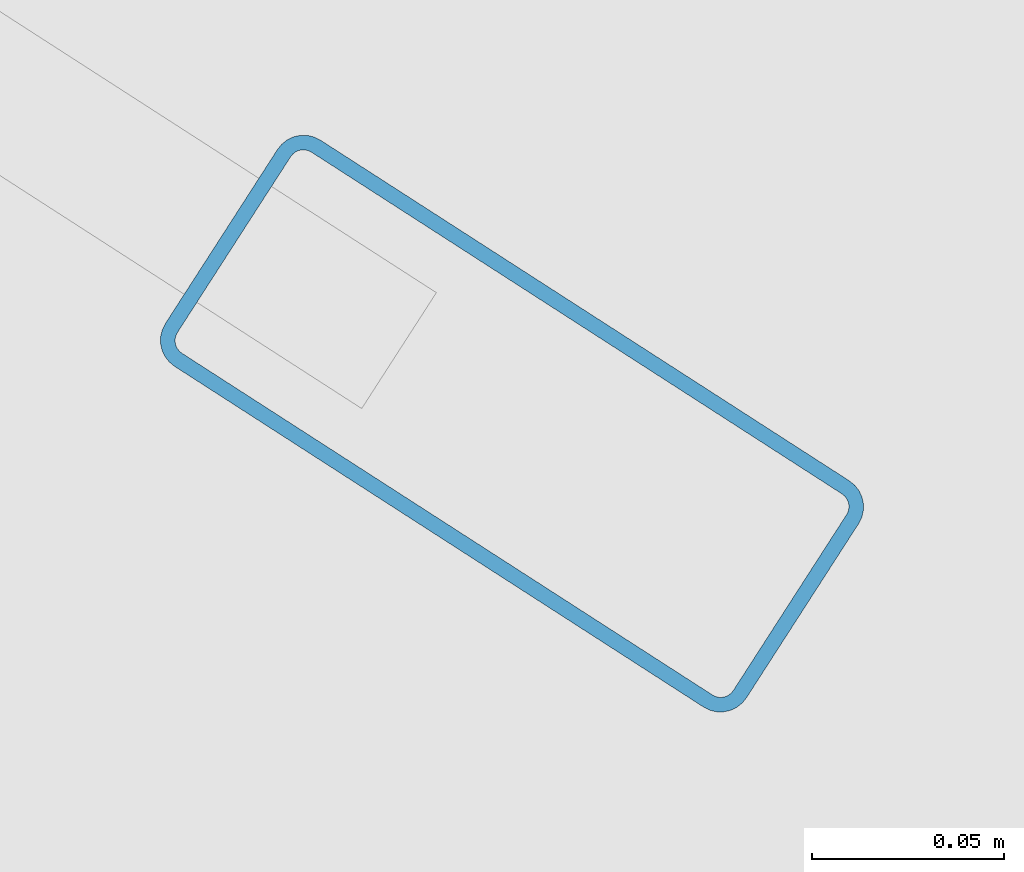
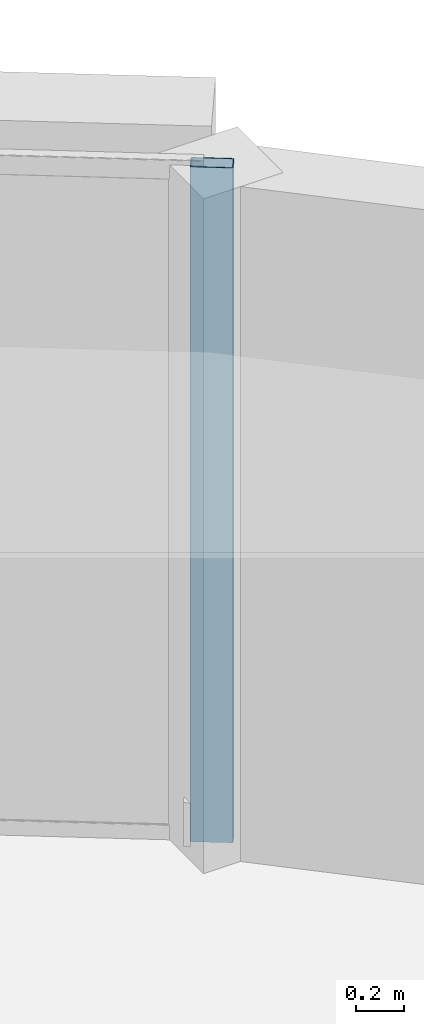
# One storey, part 5 of 15: 1 member, 1 element without a shape of its own.
"""IFC4 building model written with IfcOpenShell, lengths in metres."""

import ifcopenshell
import ifcopenshell.guid

model = None  # the IFC model being written
_history = None  # IfcOwnerHistory: only IFC2X3 demands one
_inside = {}  # id of a spatial element -> (the spatial element, [elements in it])
_under = {}  # id of a project, library or spatial element -> (it, [spatial elements below it])
_declared = {}  # id of a project -> (the project, [libraries it declares])
_typed = {}  # id of a type object -> (the type object, [elements of that type])
_made_of = {}  # id of a material, layer set ... -> (it, [elements and type objects made of it])


def new_model(schema):
    """Start an empty IFC model of exactly this schema.

    Asked for "IFC4X3", IfcOpenShell would pick the latest addendum, in which some entities
    have other attributes; the version numbers below select the first issue.
    IFC2X3 requires an IfcOwnerHistory on every rooted entity: one is made here for all.
    """
    global model, _history
    if schema == "IFC4X3":
        model = ifcopenshell.file(schema_version=(4, 3, 0, 0))
    else:
        model = ifcopenshell.file(schema=schema)
    _inside.clear()
    _under.clear()
    _declared.clear()
    _typed.clear()
    _made_of.clear()
    _history = None
    if model.schema == "IFC2X3":
        org = make("IfcOrganization", Name="unknown")
        user = make(
            "IfcPersonAndOrganization",
            ThePerson=make("IfcPerson", FamilyName="unknown"),
            TheOrganization=org,
        )
        app = make(
            "IfcApplication",
            ApplicationDeveloper=org,
            Version="unknown",
            ApplicationFullName="unknown",
            ApplicationIdentifier="unknown",
        )
        _history = make(
            "IfcOwnerHistory",
            OwningUser=user,
            OwningApplication=app,
            ChangeAction="ADDED",
            CreationDate=0,
        )
    return model


def make(cls, **values):
    """One entity of the class cls with the attributes given. An attribute that is None is left unset."""
    return model.create_entity(
        cls, **{name: value for name, value in values.items() if value is not None}
    )


def rooted(cls, **values):
    """An entity with a GlobalId (a new one), such as an element, a storey or a relation."""
    return make(cls, GlobalId=ifcopenshell.guid.new(), OwnerHistory=_history, **values)


def si_unit(unit_type, name, prefix=None):
    """IfcSIUnit, for example si_unit("LENGTHUNIT", "METRE", prefix="MILLI")."""
    return make("IfcSIUnit", UnitType=unit_type, Prefix=prefix, Name=name)


def assignment(units):
    """IfcUnitAssignment: the units of a project."""
    return None if units is None else make("IfcUnitAssignment", Units=units)


def point(xyz):
    """IfcCartesianPoint."""
    return None if xyz is None else make("IfcCartesianPoint", Coordinates=xyz)


def direction(xyz):
    """IfcDirection."""
    return None if xyz is None else make("IfcDirection", DirectionRatios=xyz)


def frame(location, z_axis=None, x_axis=None):
    """IfcAxis2Placement3D, a coordinate frame: its origin and axes. An axis left out is left unset."""
    return make(
        "IfcAxis2Placement3D",
        Location=point(location),
        Axis=direction(z_axis),
        RefDirection=direction(x_axis),
    )


def frame_2d(location, x_axis=None):
    """IfcAxis2Placement2D, a coordinate frame in the plane: its origin and x axis."""
    return make(
        "IfcAxis2Placement2D", Location=point(location), RefDirection=direction(x_axis)
    )


def origin():
    """The frame at (0, 0, 0) with its axes left unset."""
    return frame((0.0, 0.0, 0.0))


def origin_2d():
    """The frame at (0, 0) in the plane with its x axis left unset."""
    return frame_2d((0.0, 0.0))


def place(relative_to, where):
    """IfcLocalPlacement: puts the frame where relative to a parent placement (None: the world)."""
    return make(
        "IfcLocalPlacement", PlacementRelTo=relative_to, RelativePlacement=where
    )


def context(
    kind, dimensions, precision=None, world=None, true_north=None, identifier=None
):
    """IfcGeometricRepresentationContext, for example the 3D "Model" context."""
    return make(
        "IfcGeometricRepresentationContext",
        ContextIdentifier=identifier,
        ContextType=kind,
        CoordinateSpaceDimension=dimensions,
        Precision=precision,
        WorldCoordinateSystem=world,
        TrueNorth=true_north,
    )


def subcontext(parent, identifier, kind, view, scale=None):
    """IfcGeometricRepresentationSubContext, for example "Body" below "Model"."""
    return make(
        "IfcGeometricRepresentationSubContext",
        ContextIdentifier=identifier,
        ContextType=kind,
        ParentContext=parent,
        TargetScale=scale,
        TargetView=view,
    )


def project(units=None, contexts=None):
    """IfcProject with its units and contexts."""
    return rooted(
        "IfcProject",
        Name="project",
        RepresentationContexts=contexts,
        UnitsInContext=assignment(units),
    )


def spatial(cls, under=None, at=None, **own):
    """A site, building, storey or space (cls), placed at a placement, below another one or the project."""
    s = rooted(cls, ObjectPlacement=at, **own)
    if under is not None:
        _under.setdefault(under.id(), (under, []))[1].append(s)
    return s


def profile(cls, at=None, kind="AREA", **sizes):
    """A parametric profile (cls). Its sizes go by their IFC names, for example OverallWidth=200.0."""
    return make(cls, ProfileType=kind, Position=at, **sizes)


def hollow_rectangle(**sizes):
    """IfcRectangleHollowProfileDef."""
    return profile("IfcRectangleHollowProfileDef", **sizes)


def extrude(swept, where, along, depth):
    """IfcExtrudedAreaSolid: the profile swept, set in the frame where, extruded along a direction by depth."""
    return make(
        "IfcExtrudedAreaSolid",
        SweptArea=swept,
        Position=where,
        ExtrudedDirection=direction(along),
        Depth=depth,
    )


def shape(context_of_items, identifier, shape_type, items):
    """IfcShapeRepresentation: the items that make up one representation, for example the "Body"."""
    return make(
        "IfcShapeRepresentation",
        ContextOfItems=context_of_items,
        RepresentationIdentifier=identifier,
        RepresentationType=shape_type,
        Items=items,
    )


def material(Name=None, Category=None):
    """IfcMaterial."""
    return make("IfcMaterial", Name=Name, Category=Category)


def layer(
    of_material, thickness, ventilated=None, Name=None, Category=None, Priority=None
):
    """IfcMaterialLayer: one layer of a wall or slab, of a material (None: an air gap)."""
    return make(
        "IfcMaterialLayer",
        Material=of_material,
        LayerThickness=thickness,
        IsVentilated=ventilated,
        Name=Name,
        Category=Category,
        Priority=Priority,
    )


def layer_set(layers, Name=None):
    """IfcMaterialLayerSet."""
    return make("IfcMaterialLayerSet", MaterialLayers=layers, LayerSetName=Name)


def material_profile(
    of_material, cross_section, Name=None, Category=None, Priority=None
):
    """IfcMaterialProfile: a cross section and its material."""
    return make(
        "IfcMaterialProfile",
        Name=Name,
        Material=of_material,
        Profile=cross_section,
        Priority=Priority,
        Category=Category,
    )


def profile_set(profiles, Name=None, composite=None):
    """IfcMaterialProfileSet."""
    return make(
        "IfcMaterialProfileSet",
        Name=Name,
        MaterialProfiles=profiles,
        CompositeProfile=composite,
    )


def made_of(thing, what):
    """Note that an element or type object is made of a material, layer set ...; save() writes the relation."""
    if what is not None:
        _made_of.setdefault(what.id(), (what, []))[1].append(thing)
    return thing


def type_object(cls, material=None, **own):
    """A type object (cls), such as IfcWallType, which elements share."""
    return made_of(rooted(cls, **own), material)


def element(
    cls,
    number,
    at=None,
    inside=None,
    cuts=None,
    type_object=None,
    material=None,
    context=None,
    identifier="Body",
    shape_type=None,
    held_by="IfcProductDefinitionShape",
    body=None,
    shapes=None,
    **own,
):
    """One element of the class cls, such as IfcWall. Its Tag is "e" and its number.

    at: its placement. inside: the storey or other place that contains it. cuts: it is an
    opening in that element (IfcRelVoidsElement). A single representation is given by context,
    identifier, shape_type and body (its items); several are given by shapes. held_by: the class
    of the entity that holds the representations. save() writes the other relations.
    """
    e = rooted(cls, Tag="e%d" % number, ObjectPlacement=at, **own)
    if body is not None:
        shapes = [shape(context, identifier, shape_type, body)]
    if shapes is not None:
        e.Representation = make(held_by, Representations=shapes)
    if inside is not None:
        _inside.setdefault(inside.id(), (inside, []))[1].append(e)
    if cuts is not None:
        rooted(
            "IfcRelVoidsElement", RelatingBuildingElement=cuts, RelatedOpeningElement=e
        )
    if type_object is not None:
        _typed.setdefault(type_object.id(), (type_object, []))[1].append(e)
    return made_of(e, material)


def aggregate(whole, parts):
    """IfcRelAggregates: a whole, such as a stair, and the parts it consists of."""
    return rooted("IfcRelAggregates", RelatingObject=whole, RelatedObjects=parts)


def save(model, path):
    """Write the relations noted so far, then the file.

    IfcRelAggregates (storeys below a building ...), IfcRelContainedInSpatialStructure (elements
    in a storey), IfcRelDefinesByType, IfcRelAssociatesMaterial and IfcRelDeclares: one each for
    every whole, place, type object, material and project.
    """
    for whole, parts in _under.values():
        aggregate(whole, parts)
    for where, things in _inside.values():
        rooted(
            "IfcRelContainedInSpatialStructure",
            RelatedElements=things,
            RelatingStructure=where,
        )
    for kind, things in _typed.values():
        rooted("IfcRelDefinesByType", RelatedObjects=things, RelatingType=kind)
    for what, things in _made_of.values():
        rooted("IfcRelAssociatesMaterial", RelatedObjects=things, RelatingMaterial=what)
    for by, libraries in _declared.values():
        rooted("IfcRelDeclares", RelatingContext=by, RelatedDefinitions=libraries)
    model.write(path)


model = new_model("IFC4")

# Units and contexts
model_context = context("Model", 3, precision=1e-05, world=origin(), true_north=direction((0.0, 1.0)))
body_context = subcontext(model_context, "Body", "Model", "MODEL_VIEW")
ifc_project = project(units=[si_unit("LENGTHUNIT", "METRE"), si_unit("AREAUNIT", "SQUARE_METRE"), si_unit("VOLUMEUNIT", "CUBIC_METRE"), si_unit("PLANEANGLEUNIT", "RADIAN"), si_unit("MASSUNIT", "GRAM", prefix="KILO")], contexts=[model_context])

# Site, building, storey
site_placement = place(None, origin())
site = spatial("IfcSite", under=ifc_project, at=site_placement, CompositionType="ELEMENT")
building_placement = place(site_placement, origin())
building = spatial("IfcBuilding", under=site, at=building_placement, Name="An Khanh Terracotta Commons", CompositionType="ELEMENT")
storey_placement = place(building_placement, frame((0.0, 0.0, 165.39990234375)))
storey = spatial("IfcBuildingStorey", under=building, at=storey_placement, Name="L43", CompositionType="ELEMENT", Elevation=165.39990234375)

# Curtain wall, member
ifc_material = material(Name="Anodised Aluminium 6063-T6", Category="aluminium")
ifc_layer = layer(ifc_material, 0.2099609375, Name="Anodised Aluminium 6063-T6")
ifc_layer_set = layer_set([ifc_layer], Name="Anodised Aluminium 6063-T6")
curtain_wall_type = type_object("IfcCurtainWallType", Name="CW-SYS-03", PredefinedType="USERDEFINED", material=ifc_layer_set)
curtain_wall_placement = place(storey_placement, origin())
curtain_wall = element("IfcCurtainWall", 1, at=curtain_wall_placement, inside=storey, type_object=curtain_wall_type, Name="L43 CW-03 Unitised Curtain Wall CW-L43-16", ObjectType="UNITISED CURTAIN WALL", PredefinedType="USERDEFINED")
ifc_material_profile = material_profile(ifc_material, hollow_rectangle(XDim=0.070068359375, YDim=0.179931640625, WallThickness=0.00390625, InnerFilletRadius=0.00390625, OuterFilletRadius=0.008056640625, at=origin_2d()), Name="RHS180x70x4")
ifc_profile_set = profile_set([ifc_material_profile], Name="Anodised Aluminium 6063-T6")
member_type = type_object("IfcMemberType", Name="CWM-RHS180x70x4", PredefinedType="MULLION", material=ifc_profile_set)
member_placement = place(storey_placement, frame((60.448486328125, 35.843017578125, 0.0), z_axis=(0.0, 0.0, 1.0), x_axis=(-0.541497931062, -0.840702081986, 0.0)))
member = element("IfcMember", 2, at=member_placement, type_object=member_type, Name="CW-03 mullion 1", PredefinedType="MULLION", context=body_context, shape_type="SweptSolid", body=[
    extrude(hollow_rectangle(XDim=0.070068359375, YDim=0.179931640625, WallThickness=0.00390625, InnerFilletRadius=0.00390625, OuterFilletRadius=0.008056640625, at=origin_2d()), origin(), (0.0, 0.0, 1.0), 3.400146484375),
])
aggregate(curtain_wall, [member])

save(model, "model.ifc")
